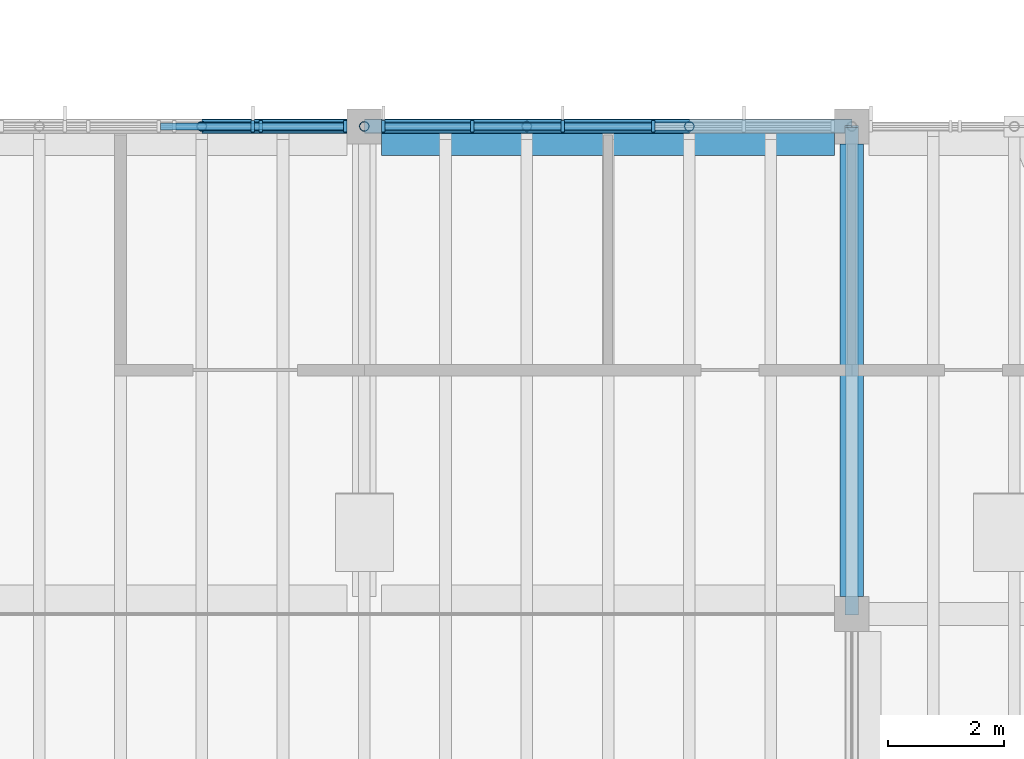
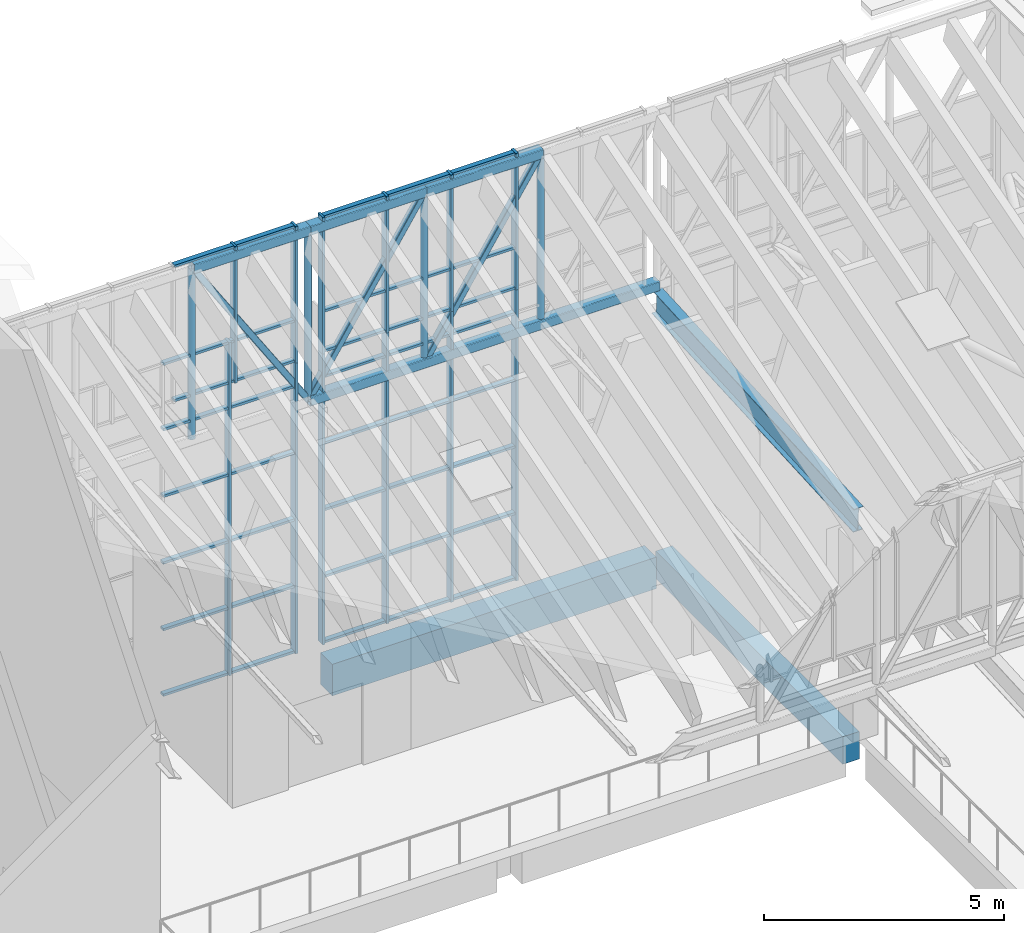
# One storey, part 33 of 91: 63 members, 3 beams, 4 elements without a shape of their own.
"""IFC4 building model written with IfcOpenShell, lengths in metres."""

from ifc_helpers import new_model, si_unit, direction, frame, origin, origin_2d, place, context, subcontext, project, spatial, rectangle, hollow_rectangle, hollow_circle, i_section, extrude, material, material_profile, profile_set, type_object, element, aggregate, save


model = new_model("IFC4")

# Units and contexts
model_context = context("Model", 3, precision=1e-05, world=origin(), true_north=direction((0.0, 1.0)))
body_context = subcontext(model_context, "Body", "Model", "MODEL_VIEW")
ifc_project = project(units=[si_unit("LENGTHUNIT", "METRE"), si_unit("AREAUNIT", "SQUARE_METRE"), si_unit("VOLUMEUNIT", "CUBIC_METRE"), si_unit("PLANEANGLEUNIT", "RADIAN"), si_unit("MASSUNIT", "GRAM", prefix="KILO")], contexts=[model_context])

# Site, building, storey
site_placement = place(None, origin())
site = spatial("IfcSite", under=ifc_project, at=site_placement, CompositionType="ELEMENT")
building_placement = place(site_placement, origin())
building = spatial("IfcBuilding", under=site, at=building_placement, Name="Almond Square Museum", CompositionType="ELEMENT")
storey_placement = place(building_placement, frame((0.0, 0.0, 30.0)))
storey = spatial("IfcBuildingStorey", under=building, at=storey_placement, Name="L05", CompositionType="ELEMENT", Elevation=30.0)

# Curtain wall, members
ifc_material_1 = material(Name="Aluminium and laminated glass", Category="aluminium")
curtain_wall_type = type_object("IfcCurtainWallType", Name="Unitised curtain wall 1500 module", PredefinedType="NOTDEFINED", material=ifc_material_1)
curtain_wall_1_placement = place(storey_placement, origin())
curtain_wall_1 = element("IfcCurtainWall", 1, at=curtain_wall_1_placement, inside=storey, type_object=curtain_wall_type, Name="Curtain wall CW-54", PredefinedType="NOTDEFINED")
ifc_material_2 = material(Name="Anodised aluminium", Category="aluminium")
ifc_material_profile_1 = material_profile(ifc_material_2, rectangle(XDim=0.199951171875, YDim=0.06005859375, at=origin_2d()))
ifc_profile_set_1 = profile_set([ifc_material_profile_1], Name="Anodised aluminium")
member_type_1 = type_object("IfcMemberType", Name="Aluminium mullion 60 x 200", PredefinedType="MULLION", material=ifc_profile_set_1)
member_1_placement = place(storey_placement, frame((90.330078125, 109.199951171875, 0.0), z_axis=(0.0, 0.0, 1.0), x_axis=(0.0, 1.0, 0.0)))
member_1 = element("IfcMember", 2, at=member_1_placement, type_object=member_type_1, Name="CW-54 mullion 1", PredefinedType="MULLION", context=body_context, shape_type="SweptSolid", body=[
    extrude(rectangle(XDim=0.199951171875, YDim=0.06005859375, at=origin_2d()), origin(), (0.0, 0.0, 1.0), 8.480224609375),
])
member_2_placement = place(storey_placement, frame((91.860107421875, 109.199951171875, 0.0), z_axis=(0.0, 0.0, 1.0), x_axis=(0.0, 1.0, 0.0)))
member_2 = element("IfcMember", 3, at=member_2_placement, type_object=member_type_1, Name="CW-54 mullion 2", PredefinedType="MULLION", context=body_context, shape_type="SweptSolid", body=[
    extrude(rectangle(XDim=0.199951171875, YDim=0.06005859375, at=origin_2d()), origin(), (0.0, 0.0, 1.0), 8.480224609375),
])
member_3_placement = place(storey_placement, frame((93.419921875, 109.199951171875, 0.0), z_axis=(0.0, 0.0, 1.0), x_axis=(0.0, 1.0, 0.0)))
member_3 = element("IfcMember", 4, at=member_3_placement, type_object=member_type_1, Name="CW-54 mullion 3", PredefinedType="MULLION", context=body_context, shape_type="SweptSolid", body=[
    extrude(rectangle(XDim=0.199951171875, YDim=0.06005859375, at=origin_2d()), origin(), (0.0, 0.0, 1.0), 8.480224609375),
])
member_4_placement = place(storey_placement, frame((94.97998046875, 109.199951171875, 0.0), z_axis=(0.0, 0.0, 1.0), x_axis=(0.0, 1.0, 0.0)))
member_4 = element("IfcMember", 5, at=member_4_placement, type_object=member_type_1, Name="CW-54 mullion 4", PredefinedType="MULLION", context=body_context, shape_type="SweptSolid", body=[
    extrude(rectangle(XDim=0.199951171875, YDim=0.06005859375, at=origin_2d()), origin(), (0.0, 0.0, 1.0), 8.480224609375),
])

curtain_wall_2_placement = place(storey_placement, origin())
curtain_wall_2 = element("IfcCurtainWall", 6, at=curtain_wall_2_placement, inside=storey, type_object=curtain_wall_type, Name="Curtain wall CW-55", PredefinedType="NOTDEFINED")
member_5_placement = place(storey_placement, frame((88.080078125, 109.199951171875, 0.0), z_axis=(0.0, 0.0, 1.0), x_axis=(0.0, 1.0, 0.0)))
member_5 = element("IfcMember", 7, at=member_5_placement, type_object=member_type_1, Name="CW-55 mullion 5", PredefinedType="MULLION", context=body_context, shape_type="SweptSolid", body=[
    extrude(rectangle(XDim=0.199951171875, YDim=0.06005859375, at=origin_2d()), origin(), (0.0, 0.0, 1.0), 8.480224609375),
])
member_6_placement = place(storey_placement, frame((89.669921875, 109.199951171875, 0.0), z_axis=(0.0, 0.0, 1.0), x_axis=(0.0, 1.0, 0.0)))
member_6 = element("IfcMember", 8, at=member_6_placement, type_object=member_type_1, Name="CW-55 mullion 6", PredefinedType="MULLION", context=body_context, shape_type="SweptSolid", body=[
    extrude(rectangle(XDim=0.199951171875, YDim=0.06005859375, at=origin_2d()), origin(), (0.0, 0.0, 1.0), 8.480224609375),
])

curtain_wall_3_placement = place(storey_placement, origin())
curtain_wall_3 = element("IfcCurtainWall", 9, at=curtain_wall_3_placement, inside=storey, type_object=curtain_wall_type, Name="Rooflight glazing AG3", PredefinedType="NOTDEFINED")
member_7_placement = place(storey_placement, frame((88.213623046875, 109.199951171875, 7.39990234375), z_axis=(0.0, 0.0, 1.0), x_axis=(0.0, 1.0, 0.0)))
member_7 = element("IfcMember", 10, at=member_7_placement, type_object=member_type_1, Name="CW-58 mullion 11", PredefinedType="MULLION", context=body_context, shape_type="SweptSolid", body=[
    extrude(rectangle(XDim=0.199951171875, YDim=0.06005859375, at=origin_2d()), origin(), (0.0, 0.0, 1.0), 3.480224609375),
])
member_8_placement = place(storey_placement, frame((89.669921875, 109.199951171875, 7.39990234375), z_axis=(0.0, 0.0, 1.0), x_axis=(0.0, 1.0, 0.0)))
member_8 = element("IfcMember", 11, at=member_8_placement, type_object=member_type_1, Name="CW-58 mullion 12", PredefinedType="MULLION", context=body_context, shape_type="SweptSolid", body=[
    extrude(rectangle(XDim=0.199951171875, YDim=0.06005859375, at=origin_2d()), origin(), (0.0, 0.0, 1.0), 3.480224609375),
])

curtain_wall_4_placement = place(storey_placement, origin())
curtain_wall_4 = element("IfcCurtainWall", 12, at=curtain_wall_4_placement, inside=storey, type_object=curtain_wall_type, Name="Rooflight glazing AG3", PredefinedType="NOTDEFINED")
member_9_placement = place(storey_placement, frame((90.330078125, 109.199951171875, 7.39990234375), z_axis=(0.0, 0.0, 1.0), x_axis=(0.0, 1.0, 0.0)))
member_9 = element("IfcMember", 13, at=member_9_placement, type_object=member_type_1, Name="CW-59 mullion 1", PredefinedType="MULLION", context=body_context, shape_type="SweptSolid", body=[
    extrude(rectangle(XDim=0.199951171875, YDim=0.06005859375, at=origin_2d()), origin(), (0.0, 0.0, 1.0), 3.480224609375),
])
member_10_placement = place(storey_placement, frame((91.860107421875, 109.199951171875, 7.39990234375), z_axis=(0.0, 0.0, 1.0), x_axis=(0.0, 1.0, 0.0)))
member_10 = element("IfcMember", 14, at=member_10_placement, type_object=member_type_1, Name="CW-59 mullion 2", PredefinedType="MULLION", context=body_context, shape_type="SweptSolid", body=[
    extrude(rectangle(XDim=0.199951171875, YDim=0.06005859375, at=origin_2d()), origin(), (0.0, 0.0, 1.0), 3.480224609375),
])
member_11_placement = place(storey_placement, frame((93.419921875, 109.199951171875, 7.39990234375), z_axis=(0.0, 0.0, 1.0), x_axis=(0.0, 1.0, 0.0)))
member_11 = element("IfcMember", 15, at=member_11_placement, type_object=member_type_1, Name="CW-59 mullion 3", PredefinedType="MULLION", context=body_context, shape_type="SweptSolid", body=[
    extrude(rectangle(XDim=0.199951171875, YDim=0.06005859375, at=origin_2d()), origin(), (0.0, 0.0, 1.0), 3.480224609375),
])
member_12_placement = place(storey_placement, frame((94.97998046875, 109.199951171875, 7.39990234375), z_axis=(0.0, 0.0, 1.0), x_axis=(0.0, 1.0, 0.0)))
member_12 = element("IfcMember", 16, at=member_12_placement, type_object=member_type_1, Name="CW-59 mullion 4", PredefinedType="MULLION", context=body_context, shape_type="SweptSolid", body=[
    extrude(rectangle(XDim=0.199951171875, YDim=0.06005859375, at=origin_2d()), origin(), (0.0, 0.0, 1.0), 3.480224609375),
])

# Member
ifc_material_3 = material(Name="Anodised aluminium", Category="aluminium")
ifc_material_profile_2 = material_profile(ifc_material_3, rectangle(XDim=0.1201171875, YDim=0.06005859375, at=origin_2d()))
ifc_profile_set_2 = profile_set([ifc_material_profile_2], Name="Anodised aluminium")
member_type_2 = type_object("IfcMemberType", Name="Aluminium transom 60 x 120", PredefinedType="USERDEFINED", material=ifc_profile_set_2)
member_13_placement = place(storey_placement, frame((90.360107421875, 109.199951171875, 0.030029296875), z_axis=(1.0, 0.0, 0.0), x_axis=(0.0, 1.0, 0.0)))
member_13 = element("IfcMember", 17, at=member_13_placement, type_object=member_type_2, Name="CW-54 transom 1.1", ObjectType="TRANSOM", PredefinedType="USERDEFINED", context=body_context, shape_type="SweptSolid", body=[
    extrude(rectangle(XDim=0.1201171875, YDim=0.06005859375, at=origin_2d()), origin(), (0.0, 0.0, 1.0), 1.469970703125),
])

member_14_placement = place(storey_placement, frame((90.360107421875, 109.199951171875, 1.696044921875), z_axis=(1.0, 0.0, 0.0), x_axis=(0.0, 1.0, 0.0)))
member_14 = element("IfcMember", 18, at=member_14_placement, type_object=member_type_2, Name="CW-54 transom 1.2", ObjectType="TRANSOM", PredefinedType="USERDEFINED", context=body_context, shape_type="SweptSolid", body=[
    extrude(rectangle(XDim=0.1201171875, YDim=0.06005859375, at=origin_2d()), origin(), (0.0, 0.0, 1.0), 1.469970703125),
])

member_15_placement = place(storey_placement, frame((90.360107421875, 109.199951171875, 3.39208984375), z_axis=(1.0, 0.0, 0.0), x_axis=(0.0, 1.0, 0.0)))
member_15 = element("IfcMember", 19, at=member_15_placement, type_object=member_type_2, Name="CW-54 transom 1.3", ObjectType="TRANSOM", PredefinedType="USERDEFINED", context=body_context, shape_type="SweptSolid", body=[
    extrude(rectangle(XDim=0.1201171875, YDim=0.06005859375, at=origin_2d()), origin(), (0.0, 0.0, 1.0), 1.469970703125),
])

member_16_placement = place(storey_placement, frame((90.360107421875, 109.199951171875, 5.088134765625), z_axis=(1.0, 0.0, 0.0), x_axis=(0.0, 1.0, 0.0)))
member_16 = element("IfcMember", 20, at=member_16_placement, type_object=member_type_2, Name="CW-54 transom 1.4", ObjectType="TRANSOM", PredefinedType="USERDEFINED", context=body_context, shape_type="SweptSolid", body=[
    extrude(rectangle(XDim=0.1201171875, YDim=0.06005859375, at=origin_2d()), origin(), (0.0, 0.0, 1.0), 1.469970703125),
])

member_17_placement = place(storey_placement, frame((90.360107421875, 109.199951171875, 6.7841796875), z_axis=(1.0, 0.0, 0.0), x_axis=(0.0, 1.0, 0.0)))
member_17 = element("IfcMember", 21, at=member_17_placement, type_object=member_type_2, Name="CW-54 transom 1.5", ObjectType="TRANSOM", PredefinedType="USERDEFINED", context=body_context, shape_type="SweptSolid", body=[
    extrude(rectangle(XDim=0.1201171875, YDim=0.06005859375, at=origin_2d()), origin(), (0.0, 0.0, 1.0), 1.469970703125),
])

member_18_placement = place(storey_placement, frame((90.360107421875, 109.199951171875, 8.4501953125), z_axis=(1.0, 0.0, 0.0), x_axis=(0.0, 1.0, 0.0)))
member_18 = element("IfcMember", 22, at=member_18_placement, type_object=member_type_2, Name="CW-54 transom 1.6", ObjectType="TRANSOM", PredefinedType="USERDEFINED", context=body_context, shape_type="SweptSolid", body=[
    extrude(rectangle(XDim=0.1201171875, YDim=0.06005859375, at=origin_2d()), origin(), (0.0, 0.0, 1.0), 1.469970703125),
])

member_19_placement = place(storey_placement, frame((91.889892578125, 109.199951171875, 0.030029296875), z_axis=(1.0, 0.0, 0.0), x_axis=(0.0, 1.0, 0.0)))
member_19 = element("IfcMember", 23, at=member_19_placement, type_object=member_type_2, Name="CW-54 transom 2.1", ObjectType="TRANSOM", PredefinedType="USERDEFINED", context=body_context, shape_type="SweptSolid", body=[
    extrude(rectangle(XDim=0.1201171875, YDim=0.06005859375, at=origin_2d()), origin(), (0.0, 0.0, 1.0), 1.5),
])

member_20_placement = place(storey_placement, frame((91.889892578125, 109.199951171875, 1.696044921875), z_axis=(1.0, 0.0, 0.0), x_axis=(0.0, 1.0, 0.0)))
member_20 = element("IfcMember", 24, at=member_20_placement, type_object=member_type_2, Name="CW-54 transom 2.2", ObjectType="TRANSOM", PredefinedType="USERDEFINED", context=body_context, shape_type="SweptSolid", body=[
    extrude(rectangle(XDim=0.1201171875, YDim=0.06005859375, at=origin_2d()), origin(), (0.0, 0.0, 1.0), 1.5),
])

member_21_placement = place(storey_placement, frame((91.889892578125, 109.199951171875, 3.39208984375), z_axis=(1.0, 0.0, 0.0), x_axis=(0.0, 1.0, 0.0)))
member_21 = element("IfcMember", 25, at=member_21_placement, type_object=member_type_2, Name="CW-54 transom 2.3", ObjectType="TRANSOM", PredefinedType="USERDEFINED", context=body_context, shape_type="SweptSolid", body=[
    extrude(rectangle(XDim=0.1201171875, YDim=0.06005859375, at=origin_2d()), origin(), (0.0, 0.0, 1.0), 1.5),
])

member_22_placement = place(storey_placement, frame((91.889892578125, 109.199951171875, 5.088134765625), z_axis=(1.0, 0.0, 0.0), x_axis=(0.0, 1.0, 0.0)))
member_22 = element("IfcMember", 26, at=member_22_placement, type_object=member_type_2, Name="CW-54 transom 2.4", ObjectType="TRANSOM", PredefinedType="USERDEFINED", context=body_context, shape_type="SweptSolid", body=[
    extrude(rectangle(XDim=0.1201171875, YDim=0.06005859375, at=origin_2d()), origin(), (0.0, 0.0, 1.0), 1.5),
])

member_23_placement = place(storey_placement, frame((91.889892578125, 109.199951171875, 6.7841796875), z_axis=(1.0, 0.0, 0.0), x_axis=(0.0, 1.0, 0.0)))
member_23 = element("IfcMember", 27, at=member_23_placement, type_object=member_type_2, Name="CW-54 transom 2.5", ObjectType="TRANSOM", PredefinedType="USERDEFINED", context=body_context, shape_type="SweptSolid", body=[
    extrude(rectangle(XDim=0.1201171875, YDim=0.06005859375, at=origin_2d()), origin(), (0.0, 0.0, 1.0), 1.5),
])

member_24_placement = place(storey_placement, frame((91.889892578125, 109.199951171875, 8.4501953125), z_axis=(1.0, 0.0, 0.0), x_axis=(0.0, 1.0, 0.0)))
member_24 = element("IfcMember", 28, at=member_24_placement, type_object=member_type_2, Name="CW-54 transom 2.6", ObjectType="TRANSOM", PredefinedType="USERDEFINED", context=body_context, shape_type="SweptSolid", body=[
    extrude(rectangle(XDim=0.1201171875, YDim=0.06005859375, at=origin_2d()), origin(), (0.0, 0.0, 1.0), 1.5),
])

member_25_placement = place(storey_placement, frame((93.449951171875, 109.199951171875, 0.030029296875), z_axis=(1.0, 0.0, 0.0), x_axis=(0.0, 1.0, 0.0)))
member_25 = element("IfcMember", 29, at=member_25_placement, type_object=member_type_2, Name="CW-54 transom 3.1", ObjectType="TRANSOM", PredefinedType="USERDEFINED", context=body_context, shape_type="SweptSolid", body=[
    extrude(rectangle(XDim=0.1201171875, YDim=0.06005859375, at=origin_2d()), origin(), (0.0, 0.0, 1.0), 1.5),
])

member_26_placement = place(storey_placement, frame((93.449951171875, 109.199951171875, 1.696044921875), z_axis=(1.0, 0.0, 0.0), x_axis=(0.0, 1.0, 0.0)))
member_26 = element("IfcMember", 30, at=member_26_placement, type_object=member_type_2, Name="CW-54 transom 3.2", ObjectType="TRANSOM", PredefinedType="USERDEFINED", context=body_context, shape_type="SweptSolid", body=[
    extrude(rectangle(XDim=0.1201171875, YDim=0.06005859375, at=origin_2d()), origin(), (0.0, 0.0, 1.0), 1.5),
])

member_27_placement = place(storey_placement, frame((93.449951171875, 109.199951171875, 3.39208984375), z_axis=(1.0, 0.0, 0.0), x_axis=(0.0, 1.0, 0.0)))
member_27 = element("IfcMember", 31, at=member_27_placement, type_object=member_type_2, Name="CW-54 transom 3.3", ObjectType="TRANSOM", PredefinedType="USERDEFINED", context=body_context, shape_type="SweptSolid", body=[
    extrude(rectangle(XDim=0.1201171875, YDim=0.06005859375, at=origin_2d()), origin(), (0.0, 0.0, 1.0), 1.5),
])

member_28_placement = place(storey_placement, frame((93.449951171875, 109.199951171875, 5.088134765625), z_axis=(1.0, 0.0, 0.0), x_axis=(0.0, 1.0, 0.0)))
member_28 = element("IfcMember", 32, at=member_28_placement, type_object=member_type_2, Name="CW-54 transom 3.4", ObjectType="TRANSOM", PredefinedType="USERDEFINED", context=body_context, shape_type="SweptSolid", body=[
    extrude(rectangle(XDim=0.1201171875, YDim=0.06005859375, at=origin_2d()), origin(), (0.0, 0.0, 1.0), 1.5),
])

member_29_placement = place(storey_placement, frame((93.449951171875, 109.199951171875, 6.7841796875), z_axis=(1.0, 0.0, 0.0), x_axis=(0.0, 1.0, 0.0)))
member_29 = element("IfcMember", 33, at=member_29_placement, type_object=member_type_2, Name="CW-54 transom 3.5", ObjectType="TRANSOM", PredefinedType="USERDEFINED", context=body_context, shape_type="SweptSolid", body=[
    extrude(rectangle(XDim=0.1201171875, YDim=0.06005859375, at=origin_2d()), origin(), (0.0, 0.0, 1.0), 1.5),
])

member_30_placement = place(storey_placement, frame((93.449951171875, 109.199951171875, 8.4501953125), z_axis=(1.0, 0.0, 0.0), x_axis=(0.0, 1.0, 0.0)))
member_30 = element("IfcMember", 34, at=member_30_placement, type_object=member_type_2, Name="CW-54 transom 3.6", ObjectType="TRANSOM", PredefinedType="USERDEFINED", context=body_context, shape_type="SweptSolid", body=[
    extrude(rectangle(XDim=0.1201171875, YDim=0.06005859375, at=origin_2d()), origin(), (0.0, 0.0, 1.0), 1.5),
])

aggregate(curtain_wall_1, [member_1, member_2, member_3, member_4, member_13, member_14, member_15, member_16, member_17, member_18, member_19, member_20, member_21, member_22, member_23, member_24, member_25, member_26, member_27, member_28, member_29, member_30])

member_31_placement = place(storey_placement, frame((86.489990234375, 109.199951171875, 0.030029296875), z_axis=(1.0, 0.0, 0.0), x_axis=(0.0, 1.0, 0.0)))
member_31 = element("IfcMember", 35, at=member_31_placement, type_object=member_type_2, Name="CW-55 transom 4.1", ObjectType="TRANSOM", PredefinedType="USERDEFINED", context=body_context, shape_type="SweptSolid", body=[
    extrude(rectangle(XDim=0.1201171875, YDim=0.06005859375, at=origin_2d()), origin(), (0.0, 0.0, 1.0), 1.56005859375),
])

member_32_placement = place(storey_placement, frame((86.489990234375, 109.199951171875, 1.696044921875), z_axis=(1.0, 0.0, 0.0), x_axis=(0.0, 1.0, 0.0)))
member_32 = element("IfcMember", 36, at=member_32_placement, type_object=member_type_2, Name="CW-55 transom 4.2", ObjectType="TRANSOM", PredefinedType="USERDEFINED", context=body_context, shape_type="SweptSolid", body=[
    extrude(rectangle(XDim=0.1201171875, YDim=0.06005859375, at=origin_2d()), origin(), (0.0, 0.0, 1.0), 1.56005859375),
])

member_33_placement = place(storey_placement, frame((86.489990234375, 109.199951171875, 3.39208984375), z_axis=(1.0, 0.0, 0.0), x_axis=(0.0, 1.0, 0.0)))
member_33 = element("IfcMember", 37, at=member_33_placement, type_object=member_type_2, Name="CW-55 transom 4.3", ObjectType="TRANSOM", PredefinedType="USERDEFINED", context=body_context, shape_type="SweptSolid", body=[
    extrude(rectangle(XDim=0.1201171875, YDim=0.06005859375, at=origin_2d()), origin(), (0.0, 0.0, 1.0), 1.56005859375),
])

member_34_placement = place(storey_placement, frame((86.489990234375, 109.199951171875, 5.088134765625), z_axis=(1.0, 0.0, 0.0), x_axis=(0.0, 1.0, 0.0)))
member_34 = element("IfcMember", 38, at=member_34_placement, type_object=member_type_2, Name="CW-55 transom 4.4", ObjectType="TRANSOM", PredefinedType="USERDEFINED", context=body_context, shape_type="SweptSolid", body=[
    extrude(rectangle(XDim=0.1201171875, YDim=0.06005859375, at=origin_2d()), origin(), (0.0, 0.0, 1.0), 1.56005859375),
])

member_35_placement = place(storey_placement, frame((86.489990234375, 109.199951171875, 6.7841796875), z_axis=(1.0, 0.0, 0.0), x_axis=(0.0, 1.0, 0.0)))
member_35 = element("IfcMember", 39, at=member_35_placement, type_object=member_type_2, Name="CW-55 transom 4.5", ObjectType="TRANSOM", PredefinedType="USERDEFINED", context=body_context, shape_type="SweptSolid", body=[
    extrude(rectangle(XDim=0.1201171875, YDim=0.06005859375, at=origin_2d()), origin(), (0.0, 0.0, 1.0), 1.56005859375),
])

member_36_placement = place(storey_placement, frame((86.489990234375, 109.199951171875, 8.4501953125), z_axis=(1.0, 0.0, 0.0), x_axis=(0.0, 1.0, 0.0)))
member_36 = element("IfcMember", 40, at=member_36_placement, type_object=member_type_2, Name="CW-55 transom 4.6", ObjectType="TRANSOM", PredefinedType="USERDEFINED", context=body_context, shape_type="SweptSolid", body=[
    extrude(rectangle(XDim=0.1201171875, YDim=0.06005859375, at=origin_2d()), origin(), (0.0, 0.0, 1.0), 1.56005859375),
])

member_37_placement = place(storey_placement, frame((88.110107421875, 109.199951171875, 0.030029296875), z_axis=(1.0, 0.0, 0.0), x_axis=(0.0, 1.0, 0.0)))
member_37 = element("IfcMember", 41, at=member_37_placement, type_object=member_type_2, Name="CW-55 transom 5.1", ObjectType="TRANSOM", PredefinedType="USERDEFINED", context=body_context, shape_type="SweptSolid", body=[
    extrude(rectangle(XDim=0.1201171875, YDim=0.06005859375, at=origin_2d()), origin(), (0.0, 0.0, 1.0), 1.52978515625),
])

member_38_placement = place(storey_placement, frame((88.110107421875, 109.199951171875, 1.696044921875), z_axis=(1.0, 0.0, 0.0), x_axis=(0.0, 1.0, 0.0)))
member_38 = element("IfcMember", 42, at=member_38_placement, type_object=member_type_2, Name="CW-55 transom 5.2", ObjectType="TRANSOM", PredefinedType="USERDEFINED", context=body_context, shape_type="SweptSolid", body=[
    extrude(rectangle(XDim=0.1201171875, YDim=0.06005859375, at=origin_2d()), origin(), (0.0, 0.0, 1.0), 1.52978515625),
])

member_39_placement = place(storey_placement, frame((88.110107421875, 109.199951171875, 3.39208984375), z_axis=(1.0, 0.0, 0.0), x_axis=(0.0, 1.0, 0.0)))
member_39 = element("IfcMember", 43, at=member_39_placement, type_object=member_type_2, Name="CW-55 transom 5.3", ObjectType="TRANSOM", PredefinedType="USERDEFINED", context=body_context, shape_type="SweptSolid", body=[
    extrude(rectangle(XDim=0.1201171875, YDim=0.06005859375, at=origin_2d()), origin(), (0.0, 0.0, 1.0), 1.52978515625),
])

member_40_placement = place(storey_placement, frame((88.110107421875, 109.199951171875, 5.088134765625), z_axis=(1.0, 0.0, 0.0), x_axis=(0.0, 1.0, 0.0)))
member_40 = element("IfcMember", 44, at=member_40_placement, type_object=member_type_2, Name="CW-55 transom 5.4", ObjectType="TRANSOM", PredefinedType="USERDEFINED", context=body_context, shape_type="SweptSolid", body=[
    extrude(rectangle(XDim=0.1201171875, YDim=0.06005859375, at=origin_2d()), origin(), (0.0, 0.0, 1.0), 1.52978515625),
])

member_41_placement = place(storey_placement, frame((88.110107421875, 109.199951171875, 6.7841796875), z_axis=(1.0, 0.0, 0.0), x_axis=(0.0, 1.0, 0.0)))
member_41 = element("IfcMember", 45, at=member_41_placement, type_object=member_type_2, Name="CW-55 transom 5.5", ObjectType="TRANSOM", PredefinedType="USERDEFINED", context=body_context, shape_type="SweptSolid", body=[
    extrude(rectangle(XDim=0.1201171875, YDim=0.06005859375, at=origin_2d()), origin(), (0.0, 0.0, 1.0), 1.52978515625),
])

member_42_placement = place(storey_placement, frame((88.110107421875, 109.199951171875, 8.4501953125), z_axis=(1.0, 0.0, 0.0), x_axis=(0.0, 1.0, 0.0)))
member_42 = element("IfcMember", 46, at=member_42_placement, type_object=member_type_2, Name="CW-55 transom 5.6", ObjectType="TRANSOM", PredefinedType="USERDEFINED", context=body_context, shape_type="SweptSolid", body=[
    extrude(rectangle(XDim=0.1201171875, YDim=0.06005859375, at=origin_2d()), origin(), (0.0, 0.0, 1.0), 1.52978515625),
])

aggregate(curtain_wall_2, [member_5, member_6, member_31, member_32, member_33, member_34, member_35, member_36, member_37, member_38, member_39, member_40, member_41, member_42])

member_43_placement = place(storey_placement, frame((86.75732421875, 109.199951171875, 7.429931640625), z_axis=(1.0, 0.0, 0.0), x_axis=(0.0, 1.0, 0.0)))
member_43 = element("IfcMember", 47, at=member_43_placement, type_object=member_type_2, Name="CW-58 transom 10.1", ObjectType="TRANSOM", PredefinedType="USERDEFINED", context=body_context, shape_type="SweptSolid", body=[
    extrude(rectangle(XDim=0.1201171875, YDim=0.06005859375, at=origin_2d()), origin(), (0.0, 0.0, 1.0), 1.42626953125),
])

member_44_placement = place(storey_placement, frame((86.75732421875, 109.199951171875, 10.850341796875), z_axis=(1.0, 0.0, 0.0), x_axis=(0.0, 1.0, 0.0)))
member_44 = element("IfcMember", 48, at=member_44_placement, type_object=member_type_2, Name="CW-58 transom 10.2", ObjectType="TRANSOM", PredefinedType="USERDEFINED", context=body_context, shape_type="SweptSolid", body=[
    extrude(rectangle(XDim=0.1201171875, YDim=0.06005859375, at=origin_2d()), origin(), (0.0, 0.0, 1.0), 1.42626953125),
])

member_45_placement = place(storey_placement, frame((88.24365234375, 109.199951171875, 7.429931640625), z_axis=(1.0, 0.0, 0.0), x_axis=(0.0, 1.0, 0.0)))
member_45 = element("IfcMember", 49, at=member_45_placement, type_object=member_type_2, Name="CW-58 transom 11.1", ObjectType="TRANSOM", PredefinedType="USERDEFINED", context=body_context, shape_type="SweptSolid", body=[
    extrude(rectangle(XDim=0.1201171875, YDim=0.06005859375, at=origin_2d()), origin(), (0.0, 0.0, 1.0), 1.396240234375),
])

member_46_placement = place(storey_placement, frame((88.24365234375, 109.199951171875, 10.850341796875), z_axis=(1.0, 0.0, 0.0), x_axis=(0.0, 1.0, 0.0)))
member_46 = element("IfcMember", 50, at=member_46_placement, type_object=member_type_2, Name="CW-58 transom 11.2", ObjectType="TRANSOM", PredefinedType="USERDEFINED", context=body_context, shape_type="SweptSolid", body=[
    extrude(rectangle(XDim=0.1201171875, YDim=0.06005859375, at=origin_2d()), origin(), (0.0, 0.0, 1.0), 1.396240234375),
])

aggregate(curtain_wall_3, [member_7, member_8, member_43, member_44, member_45, member_46])

member_47_placement = place(storey_placement, frame((90.360107421875, 109.199951171875, 7.429931640625), z_axis=(1.0, 0.0, 0.0), x_axis=(0.0, 1.0, 0.0)))
member_47 = element("IfcMember", 51, at=member_47_placement, type_object=member_type_2, Name="CW-59 transom 1.1", ObjectType="TRANSOM", PredefinedType="USERDEFINED", context=body_context, shape_type="SweptSolid", body=[
    extrude(rectangle(XDim=0.1201171875, YDim=0.06005859375, at=origin_2d()), origin(), (0.0, 0.0, 1.0), 1.469970703125),
])

member_48_placement = place(storey_placement, frame((90.360107421875, 109.199951171875, 10.850341796875), z_axis=(1.0, 0.0, 0.0), x_axis=(0.0, 1.0, 0.0)))
member_48 = element("IfcMember", 52, at=member_48_placement, type_object=member_type_2, Name="CW-59 transom 1.2", ObjectType="TRANSOM", PredefinedType="USERDEFINED", context=body_context, shape_type="SweptSolid", body=[
    extrude(rectangle(XDim=0.1201171875, YDim=0.06005859375, at=origin_2d()), origin(), (0.0, 0.0, 1.0), 1.469970703125),
])

member_49_placement = place(storey_placement, frame((91.889892578125, 109.199951171875, 7.429931640625), z_axis=(1.0, 0.0, 0.0), x_axis=(0.0, 1.0, 0.0)))
member_49 = element("IfcMember", 53, at=member_49_placement, type_object=member_type_2, Name="CW-59 transom 2.1", ObjectType="TRANSOM", PredefinedType="USERDEFINED", context=body_context, shape_type="SweptSolid", body=[
    extrude(rectangle(XDim=0.1201171875, YDim=0.06005859375, at=origin_2d()), origin(), (0.0, 0.0, 1.0), 1.5),
])

member_50_placement = place(storey_placement, frame((91.889892578125, 109.199951171875, 10.850341796875), z_axis=(1.0, 0.0, 0.0), x_axis=(0.0, 1.0, 0.0)))
member_50 = element("IfcMember", 54, at=member_50_placement, type_object=member_type_2, Name="CW-59 transom 2.2", ObjectType="TRANSOM", PredefinedType="USERDEFINED", context=body_context, shape_type="SweptSolid", body=[
    extrude(rectangle(XDim=0.1201171875, YDim=0.06005859375, at=origin_2d()), origin(), (0.0, 0.0, 1.0), 1.5),
])

member_51_placement = place(storey_placement, frame((93.449951171875, 109.199951171875, 7.429931640625), z_axis=(1.0, 0.0, 0.0), x_axis=(0.0, 1.0, 0.0)))
member_51 = element("IfcMember", 55, at=member_51_placement, type_object=member_type_2, Name="CW-59 transom 3.1", ObjectType="TRANSOM", PredefinedType="USERDEFINED", context=body_context, shape_type="SweptSolid", body=[
    extrude(rectangle(XDim=0.1201171875, YDim=0.06005859375, at=origin_2d()), origin(), (0.0, 0.0, 1.0), 1.5),
])

member_52_placement = place(storey_placement, frame((93.449951171875, 109.199951171875, 10.850341796875), z_axis=(1.0, 0.0, 0.0), x_axis=(0.0, 1.0, 0.0)))
member_52 = element("IfcMember", 56, at=member_52_placement, type_object=member_type_2, Name="CW-59 transom 3.2", ObjectType="TRANSOM", PredefinedType="USERDEFINED", context=body_context, shape_type="SweptSolid", body=[
    extrude(rectangle(XDim=0.1201171875, YDim=0.06005859375, at=origin_2d()), origin(), (0.0, 0.0, 1.0), 1.5),
])

aggregate(curtain_wall_4, [member_9, member_10, member_11, member_12, member_47, member_48, member_49, member_50, member_51, member_52])

# Beams
ifc_material_4 = material(Name="Structural steel S355", Category="steel")
ifc_material_profile_3 = material_profile(ifc_material_4, i_section(OverallWidth=0.22802734375, OverallDepth=0.60693359375, WebThickness=0.01123046875, FlangeThickness=0.017333984375, at=origin_2d()))
ifc_profile_set_3 = profile_set([ifc_material_profile_3], Name="Structural steel S355")
beam_type_1 = type_object("IfcBeamType", Name="Girder W610x113", PredefinedType="BEAM", material=ifc_profile_set_3)
beam_1_placement = place(storey_placement, frame((98.39990234375, 100.800048828125, 5.396728515625), z_axis=(0.0, 0.998371428865, 0.0570481378), x_axis=(-1.0, 0.0, 0.0)))
element("IfcBeam", 57, at=beam_1_placement, inside=storey, type_object=beam_type_1, Name="Atrium roof girder 3.4", PredefinedType="BEAM", context=body_context, shape_type="SweptSolid", body=[
    extrude(i_section(OverallWidth=0.22802734375, OverallDepth=0.60693359375, WebThickness=0.01123046875, FlangeThickness=0.017333984375, at=origin_2d()), origin(), (0.0, 0.0, 1.0), 8.41357421875),
])
ifc_material_5 = material(Name="Concrete C40/50", Category="concrete")
ifc_material_profile_4 = material_profile(ifc_material_5, rectangle(XDim=0.39990234375, YDim=0.699951171875, at=origin_2d()))
ifc_profile_set_4 = profile_set([ifc_material_profile_4], Name="Concrete C40/50")
beam_type_2 = type_object("IfcBeamType", Name="RC beam 400 x 700 C40/50", PredefinedType="BEAM", material=ifc_profile_set_4)
beam_2_placement = place(storey_placement, frame((98.39990234375, 101.10009765625, -0.60009765625), z_axis=(0.0, 1.0, 0.0), x_axis=(-1.0, 0.0, 0.0)))
element("IfcBeam", 58, at=beam_2_placement, inside=storey, type_object=beam_type_2, Name="Beam 13 M-N L05", PredefinedType="BEAM", context=body_context, shape_type="SweptSolid", body=[
    extrude(rectangle(XDim=0.39990234375, YDim=0.699951171875, at=origin_2d()), origin(), (0.0, 0.0, 1.0), 7.7998046875),
])
ifc_material_6 = material(Name="Concrete C40/50", Category="concrete")
ifc_material_profile_5 = material_profile(ifc_material_6, rectangle(XDim=0.5, YDim=0.800048828125, at=origin_2d()))
ifc_profile_set_5 = profile_set([ifc_material_profile_5], Name="Concrete C40/50")
beam_type_3 = type_object("IfcBeamType", Name="RC edge beam 500 x 800 C40/50", PredefinedType="BEAM", material=ifc_profile_set_5)
beam_3_placement = place(storey_placement, frame((90.300048828125, 108.949951171875, -0.64990234375), z_axis=(1.0, 0.0, 0.0), x_axis=(0.0, 1.0, 0.0)))
element("IfcBeam", 59, at=beam_3_placement, inside=storey, type_object=beam_type_3, Name="Edge beam N 12-13 L05", PredefinedType="BEAM", context=body_context, shape_type="SweptSolid", body=[
    extrude(rectangle(XDim=0.5, YDim=0.800048828125, at=origin_2d()), origin(), (0.0, 0.0, 1.0), 7.800048828125),
])

# Members
ifc_material_7 = material(Name="Structural steel S355", Category="steel")
ifc_material_profile_6 = material_profile(ifc_material_7, hollow_rectangle(XDim=0.25, YDim=0.25, WallThickness=0.012451171875, InnerFilletRadius=0.02490234375, OuterFilletRadius=0.03759765625, at=origin_2d()))
ifc_profile_set_6 = profile_set([ifc_material_profile_6], Name="Structural steel S355")
member_type_3 = type_object("IfcMemberType", Name="Truss chord SHS 250x250x12.5", PredefinedType="CHORD", material=ifc_profile_set_6)
for number, where, z_axis, x_axis, name in (
    (60, (87.199951171875, 109.199951171875, 10.650634765625), (1.0, 0.0, 0.0), (0.0, 1.0, 0.0), "TR-12 top chord 6"),
    (61, (90.0, 109.199951171875, 10.650634765625), (1.0, 0.0, 0.0), (0.0, 1.0, 0.0), "TR-12 top chord 7"),
):
    element("IfcMember", number, at=place(storey_placement, frame(where, z_axis=z_axis, x_axis=x_axis)), inside=storey, type_object=member_type_3, Name=name, PredefinedType="CHORD", context=body_context, shape_type="SweptSolid", body=[
        extrude(hollow_rectangle(XDim=0.25, YDim=0.25, WallThickness=0.012451171875, InnerFilletRadius=0.02490234375, OuterFilletRadius=0.03759765625, at=origin_2d()), origin(), (0.0, 0.0, 1.0), 2.800048828125),
    ])
member_53_placement = place(storey_placement, frame((90.0, 109.199951171875, 6.30517578125), z_axis=(1.0, 0.0, 0.0), x_axis=(0.0, 1.0, 0.0)))
element("IfcMember", 62, at=member_53_placement, inside=storey, type_object=member_type_3, Name="TR-12 bottom chord 7 to 9", PredefinedType="CHORD", context=body_context, shape_type="SweptSolid", body=[
    extrude(hollow_rectangle(XDim=0.25, YDim=0.25, WallThickness=0.012451171875, InnerFilletRadius=0.02490234375, OuterFilletRadius=0.03759765625, at=origin_2d()), origin(), (0.0, 0.0, 1.0), 8.39990234375),
])
member_54_placement = place(storey_placement, frame((92.800048828125, 109.199951171875, 10.650634765625), z_axis=(1.0, 0.0, 0.0), x_axis=(0.0, 1.0, 0.0)))
element("IfcMember", 63, at=member_54_placement, inside=storey, type_object=member_type_3, Name="TR-12 top chord 8", PredefinedType="CHORD", context=body_context, shape_type="SweptSolid", body=[
    extrude(hollow_rectangle(XDim=0.25, YDim=0.25, WallThickness=0.012451171875, InnerFilletRadius=0.02490234375, OuterFilletRadius=0.03759765625, at=origin_2d()), origin(), (0.0, 0.0, 1.0), 2.800048828125),
])
ifc_material_8 = material(Name="Structural steel S355", Category="steel")
ifc_material_profile_7 = material_profile(ifc_material_8, hollow_rectangle(XDim=0.14990234375, YDim=0.14990234375, WallThickness=0.008056640625, InnerFilletRadius=0.011962890625, OuterFilletRadius=0.02001953125, at=origin_2d()))
ifc_profile_set_7 = profile_set([ifc_material_profile_7], Name="Structural steel S355")
member_type_4 = type_object("IfcMemberType", Name="Truss diagonal SHS 150x150x8", PredefinedType="BRACE", material=ifc_profile_set_7)
for number, where, z_axis, x_axis, name in (
    (64, (87.199951171875, 109.199951171875, 10.650634765625), (0.541652391523, 0.0, -0.840602573609), (0.0, 1.0, 0.0), "TR-12 diagonal 6"),
    (65, (90.0, 109.199951171875, 6.30517578125), (0.541652391523, 0.0, 0.840602573609), (0.0, 1.0, 0.0), "TR-12 diagonal 7"),
    (66, (92.800048828125, 109.199951171875, 6.30517578125), (0.541652391523, 0.0, 0.840602573609), (0.0, 1.0, 0.0), "TR-12 diagonal 8"),
):
    element("IfcMember", number, at=place(storey_placement, frame(where, z_axis=z_axis, x_axis=x_axis)), inside=storey, type_object=member_type_4, Name=name, PredefinedType="BRACE", context=body_context, shape_type="SweptSolid", body=[
        extrude(hollow_rectangle(XDim=0.14990234375, YDim=0.14990234375, WallThickness=0.008056640625, InnerFilletRadius=0.011962890625, OuterFilletRadius=0.02001953125, at=origin_2d()), origin(), (0.0, 0.0, 1.0), 5.16943359375),
    ])
ifc_material_9 = material(Name="Structural steel S355", Category="steel")
ifc_material_profile_8 = material_profile(ifc_material_9, hollow_circle(Radius=0.084228515625, WallThickness=0.008056640625, at=origin_2d()))
ifc_profile_set_8 = profile_set([ifc_material_profile_8], Name="Structural steel S355")
member_type_5 = type_object("IfcMemberType", Name="Truss post CHS 168.3x8", PredefinedType="POST", material=ifc_profile_set_8)
for number, where, z_axis, x_axis, name in (
    (67, (87.199951171875, 109.199951171875, 6.30517578125), (0.0, 0.0, 1.0), (1.0, 0.0, 0.0), "TR-12 post 6"),
    (68, (90.0, 109.199951171875, 6.30517578125), (0.0, 0.0, 1.0), (1.0, 0.0, 0.0), "TR-12 post 7"),
    (69, (92.800048828125, 109.199951171875, 6.30517578125), (0.0, 0.0, 1.0), (1.0, 0.0, 0.0), "TR-12 post 8"),
    (70, (95.60009765625, 109.199951171875, 6.30517578125), (0.0, 0.0, 1.0), (1.0, 0.0, 0.0), "TR-12 post 9"),
):
    element("IfcMember", number, at=place(storey_placement, frame(where, z_axis=z_axis, x_axis=x_axis)), inside=storey, type_object=member_type_5, Name=name, PredefinedType="POST", context=body_context, shape_type="SweptSolid", body=[
        extrude(hollow_circle(Radius=0.084228515625, WallThickness=0.008056640625, at=origin_2d()), origin(), (0.0, 0.0, 1.0), 4.345458984375),
    ])

save(model, "model.ifc")
